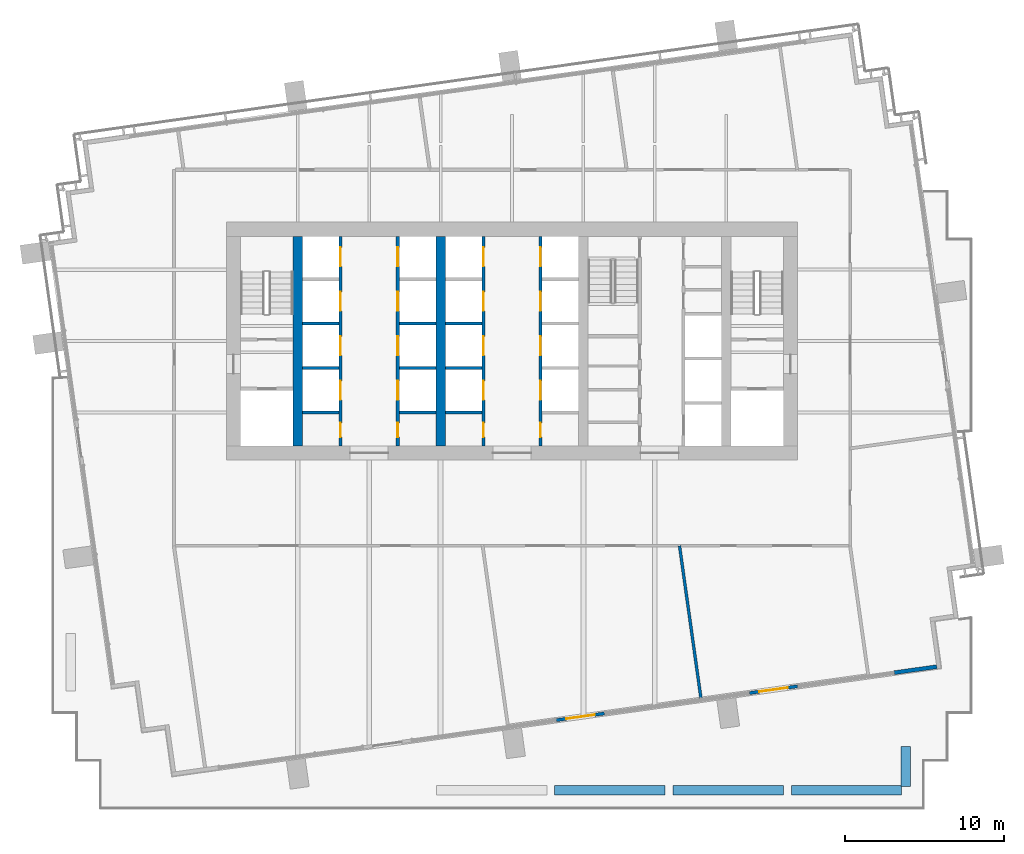
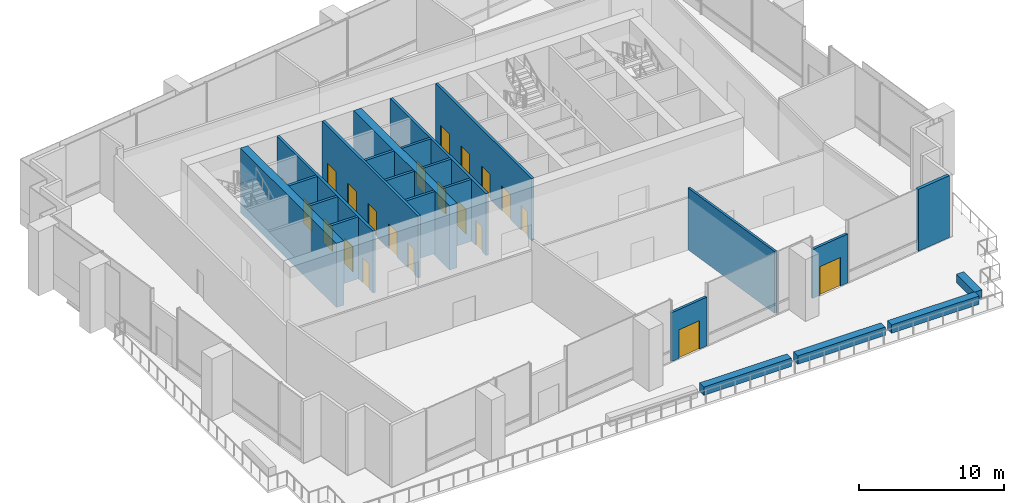
# One storey, part 8 of 17: 23 walls, 22 doors, 22 openings.
"""IFC4 building model written with IfcOpenShell, lengths in metres."""

from ifc_helpers import new_model, si_unit, direction, frame, frame_2d, origin, place, context, subcontext, project, spatial, rectangle, extrude, material, layer, layer_set, type_object, element, fill, save


model = new_model("IFC4")

# Units and contexts
model_context = context("Model", 3, precision=1e-05, world=origin(), true_north=direction((0.0, 1.0)))
body_context = subcontext(model_context, "Body", "Model", "MODEL_VIEW")
ifc_project = project(units=[si_unit("LENGTHUNIT", "METRE"), si_unit("AREAUNIT", "SQUARE_METRE"), si_unit("VOLUMEUNIT", "CUBIC_METRE"), si_unit("PLANEANGLEUNIT", "RADIAN"), si_unit("MASSUNIT", "GRAM", prefix="KILO")], contexts=[model_context])

# Site, building, storey
site_placement = place(None, origin())
site = spatial("IfcSite", under=ifc_project, at=site_placement, CompositionType="ELEMENT")
building_placement = place(site_placement, origin())
building = spatial("IfcBuilding", under=site, at=building_placement, Name="Rattan Terrace Tower", CompositionType="ELEMENT")
storey_placement = place(building_placement, frame((0.0, 0.0, 163.10009765625)))
storey = spatial("IfcBuildingStorey", under=building, at=storey_placement, Name="L37", CompositionType="ELEMENT", Elevation=163.10009765625)

# Walls
ifc_material_1 = material(Name="Concrete C60/75", Category="concrete")
ifc_layer_1 = layer(ifc_material_1, 0.60009765625)
ifc_layer_set_1 = layer_set([ifc_layer_1], Name="Core spine wall 600 C60/75")
wall_type_1 = type_object("IfcWallType", Name="Core spine wall 600 C60/75", PredefinedType="SHEAR", material=ifc_layer_set_1)
for number, where, z_axis, x_axis, name in (
    (1, (-13.5, -6.60009765625, -0.2001953125), (0.0, 0.0, 1.0), (0.0, 1.0, 0.0), "Core spine wall 1"),
    (2, (-4.5, -6.60009765625, -0.2001953125), (0.0, 0.0, 1.0), (0.0, 1.0, 0.0), "Core spine wall 2"),
):
    element("IfcWall", number, at=place(storey_placement, frame(where, z_axis=z_axis, x_axis=x_axis)), inside=storey, type_object=wall_type_1, Name=name, PredefinedType="SHEAR", context=body_context, shape_type="SweptSolid", body=[
        extrude(rectangle(XDim=13.2001953125, YDim=0.60009765625, at=frame_2d((6.60009765625, 0.0))), origin(), (0.0, 0.0, 1.0), 5.400146484375),
    ])

# Wall, opening, door
ifc_material_2 = material(Name="Insulated aluminium-clad stud wall", Category="aluminium")
ifc_layer_2 = layer(ifc_material_2, 0.199951171875)
ifc_layer_set_2 = layer_set([ifc_layer_2], Name="Facade Door Wall 200")
wall_type_2 = type_object("IfcWallType", Name="Facade Door Wall 200", PredefinedType="SOLIDWALL", material=ifc_layer_set_2)
wall_1_placement = place(storey_placement, frame((2.791259765625, -23.885009765625, 0.0), z_axis=(0.0, 0.0, 1.0), x_axis=(0.990274385837, 0.139128145088, 0.0)))
wall_1 = element("IfcWall", 3, at=wall_1_placement, inside=storey, type_object=wall_type_2, Name="Terrace door wall L37-24", PredefinedType="SOLIDWALL", context=body_context, shape_type="SweptSolid", body=[
    extrude(rectangle(XDim=3.07080078125, YDim=0.199951171875, at=frame_2d((1.535400390625, 0.0))), origin(), (0.0, 0.0, 1.0), 4.099853515625),
])
opening_1_placement = place(wall_1_placement, frame((0.635498046875, 0.0, 0.0)))
opening_1 = element("IfcOpeningElement", 4, at=opening_1_placement, cuts=wall_1, Name="Opening L37-D704", PredefinedType="OPENING", context=body_context, shape_type="SweptSolid", body=[
    extrude(rectangle(XDim=1.800048828125, YDim=2.39990234375, at=frame_2d((0.89990234375, 1.199951171875))), frame((0.0, 0.110595703125, 0.0), z_axis=(0.0, -1.0, 0.0), x_axis=(1.0, 0.0, 0.0)), (0.0, 0.0, 1.0), 0.220947265625),
])
ifc_material_3 = material(Name="Aluminium and clear glass", Category="aluminium")
door_type_1 = type_object("IfcDoorType", Name="Facade Terrace Door 1800", OperationType="DOUBLE_DOOR_SINGLE_SWING", PredefinedType="DOOR", material=ifc_material_3)
door_1_placement = place(opening_1_placement, origin())
door_1 = element("IfcDoor", 5, at=door_1_placement, inside=storey, type_object=door_type_1, Name="Terrace door L37-D704", OperationType="DOUBLE_DOOR_SINGLE_SWING", OverallHeight=2.39990234375, OverallWidth=1.800048828125, PredefinedType="DOOR", context=body_context, shape_type="SweptSolid", body=[
    extrude(rectangle(XDim=1.800048828125, YDim=2.39990234375, at=frame_2d((0.89990234375, 1.199951171875))), frame((0.0, 0.02490234375, 0.0), z_axis=(0.0, -1.0, 0.0), x_axis=(1.0, 0.0, 0.0)), (0.0, 0.0, 1.0), 0.050048828125),
])
fill(opening_1, door_1)

wall_2_placement = place(storey_placement, frame((14.95556640625, -22.175537109375, 0.0), z_axis=(0.0, 0.0, 1.0), x_axis=(0.990275924543, 0.139117192578, 0.0)))
wall_2 = element("IfcWall", 6, at=wall_2_placement, inside=storey, type_object=wall_type_2, Name="Terrace door wall L37-25", PredefinedType="SOLIDWALL", context=body_context, shape_type="SweptSolid", body=[
    extrude(rectangle(XDim=3.071044921875, YDim=0.199951171875, at=frame_2d((1.53564453125, 0.0))), origin(), (0.0, 0.0, 1.0), 4.099853515625),
])
opening_2_placement = place(wall_2_placement, frame((0.635498046875, 0.0, 0.0)))
opening_2 = element("IfcOpeningElement", 7, at=opening_2_placement, cuts=wall_2, Name="Opening L37-D705", PredefinedType="OPENING", context=body_context, shape_type="SweptSolid", body=[
    extrude(rectangle(XDim=1.800048828125, YDim=2.39990234375, at=frame_2d((0.89990234375, 1.199951171875))), frame((0.0, 0.110595703125, 0.0), z_axis=(0.0, -1.0, 0.0), x_axis=(1.0, 0.0, 0.0)), (0.0, 0.0, 1.0), 0.220947265625),
])
door_2_placement = place(opening_2_placement, origin())
door_2 = element("IfcDoor", 8, at=door_2_placement, inside=storey, type_object=door_type_1, Name="Terrace door L37-D705", OperationType="DOUBLE_DOOR_SINGLE_SWING", OverallHeight=2.39990234375, OverallWidth=1.800048828125, PredefinedType="DOOR", context=body_context, shape_type="SweptSolid", body=[
    extrude(rectangle(XDim=1.800048828125, YDim=2.39990234375, at=frame_2d((0.89990234375, 1.199951171875))), frame((0.0, 0.02490234375, 0.0), z_axis=(0.0, -1.0, 0.0), x_axis=(1.0, 0.0, 0.0)), (0.0, 0.0, 1.0), 0.050048828125),
])
fill(opening_2, door_2)

# Walls
ifc_material_4 = material(Name="Precast concrete C30/37", Category="concrete")
ifc_layer_3 = layer(ifc_material_4, 0.60009765625)
ifc_layer_set_3 = layer_set([ifc_layer_3], Name="Facade Planter Wall 600")
wall_type_3 = type_object("IfcWallType", Name="Facade Planter Wall 600", PredefinedType="SOLIDWALL", material=ifc_layer_set_3)
wall_3_placement = place(storey_placement, frame((24.800048828125, -25.550048828125, 0.0), z_axis=(0.0, 0.0, 1.0), x_axis=(0.0, -1.0, 0.0)))
element("IfcWall", 9, at=wall_3_placement, inside=storey, type_object=wall_type_3, Name="PLANTER bed L37-2", PredefinedType="SOLIDWALL", context=body_context, shape_type="SweptSolid", body=[
    extrude(rectangle(XDim=2.5, YDim=0.60009765625, at=frame_2d((1.25, 0.0))), origin(), (0.0, 0.0, 1.0), 0.699951171875),
])
wall_4_placement = place(storey_placement, frame((24.550048828125, -28.300048828125, 0.0), z_axis=(0.0, 0.0, 1.0), x_axis=(-1.0, 0.0, 0.0)))
element("IfcWall", 10, at=wall_4_placement, inside=storey, type_object=wall_type_3, Name="PLANTER bed L37-3", PredefinedType="SOLIDWALL", context=body_context, shape_type="SweptSolid", body=[
    extrude(rectangle(XDim=6.953125, YDim=0.60009765625, at=frame_2d((3.4765625, 0.0))), origin(), (0.0, 0.0, 1.0), 0.699951171875),
])
wall_5_placement = place(storey_placement, frame((17.096923828125, -28.300048828125, 0.0), z_axis=(0.0, 0.0, 1.0), x_axis=(-1.0, 0.0, 0.0)))
element("IfcWall", 11, at=wall_5_placement, inside=storey, type_object=wall_type_3, Name="PLANTER bed L37-4", PredefinedType="SOLIDWALL", context=body_context, shape_type="SweptSolid", body=[
    extrude(rectangle(XDim=6.951904296875, YDim=0.60009765625, at=frame_2d((3.47607421875, 0.0))), origin(), (0.0, 0.0, 1.0), 0.699951171875),
])
wall_6_placement = place(storey_placement, frame((9.64501953125, -28.300048828125, 0.0), z_axis=(0.0, 0.0, 1.0), x_axis=(-1.0, 0.0, 0.0)))
element("IfcWall", 12, at=wall_6_placement, inside=storey, type_object=wall_type_3, Name="PLANTER bed L37-5", PredefinedType="SOLIDWALL", context=body_context, shape_type="SweptSolid", body=[
    extrude(rectangle(XDim=6.953125, YDim=0.60009765625, at=frame_2d((3.4765625, 0.0))), origin(), (0.0, 0.0, 1.0), 0.699951171875),
])
ifc_material_5 = material(Name="Insulated aluminium-clad stud wall", Category="aluminium")
ifc_layer_4 = layer(ifc_material_5, 0.25)
ifc_layer_set_4 = layer_set([ifc_layer_4], Name="Facade Riser Wall 250")
wall_type_4 = type_object("IfcWallType", Name="Facade Riser Wall 250", PredefinedType="SOLIDWALL", material=ifc_layer_set_4)
wall_7_placement = place(storey_placement, frame((24.08544921875, -20.892578125, 0.0), z_axis=(0.0, 0.0, 1.0), x_axis=(0.990255800966, 0.139260362823, 0.0)))
element("IfcWall", 13, at=wall_7_placement, inside=storey, type_object=wall_type_4, Name="Riser wall L37-1", PredefinedType="SOLIDWALL", context=body_context, shape_type="SweptSolid", body=[
    extrude(rectangle(XDim=2.705078125, YDim=0.25, at=frame_2d((1.3525390625, 0.0))), origin(), (0.0, 0.0, 1.0), 5.199951171875),
])
ifc_material_6 = material(Name="Double steel stud acoustic partition, gypsum board, mineral wool, fire rated", Category="steel")
ifc_layer_5 = layer(ifc_material_6, 0.179931640625)
ifc_layer_set_5 = layer_set([ifc_layer_5], Name="Floors Acoustic Party Wall 180")
wall_type_5 = type_object("IfcWallType", Name="Floors Acoustic Party Wall 180", PredefinedType="PARTITIONING", material=ifc_layer_set_5)
wall_8_placement = place(storey_placement, frame((11.906005859375, -22.513916015625, 0.0), z_axis=(0.0, 0.0, 1.0), x_axis=(-0.139164284248, 0.99026930781, 0.0)))
element("IfcWall", 14, at=wall_8_placement, inside=storey, type_object=wall_type_5, Name="pt-L37-012", PredefinedType="PARTITIONING", context=body_context, shape_type="SweptSolid", body=[
    extrude(rectangle(XDim=9.70849609375, YDim=0.179931640625, at=frame_2d((4.854248046875, 0.0))), origin(), (0.0, 0.0, 1.0), 5.199951171875),
])

# Wall, openings, doors
ifc_material_7 = material(Name="Gypsum shaft wall system")
ifc_layer_6 = layer(ifc_material_7, 0.199951171875)
ifc_layer_set_6 = layer_set([ifc_layer_6], Name="Lift shaft wall 200")
wall_type_6 = type_object("IfcWallType", Name="Lift shaft wall 200", PredefinedType="PARTITIONING", material=ifc_layer_set_6)
wall_9_placement = place(storey_placement, frame((-10.800048828125, -6.60009765625, 0.0), z_axis=(0.0, 0.0, 1.0), x_axis=(0.0, 1.0, 0.0)))
wall_9 = element("IfcWall", 15, at=wall_9_placement, inside=storey, type_object=wall_type_6, Name="Lift shaft front wall", PredefinedType="PARTITIONING", context=body_context, shape_type="SweptSolid", body=[
    extrude(rectangle(XDim=13.2001953125, YDim=0.199951171875, at=frame_2d((6.60009765625, 0.0))), origin(), (0.0, 0.0, 1.0), 5.199951171875),
])
opening_3_placement = place(wall_9_placement, frame((0.550048828125, 0.0, 0.0)))
opening_3 = element("IfcOpeningElement", 16, at=opening_3_placement, cuts=wall_9, Name="Opening L37-D005", PredefinedType="OPENING", context=body_context, shape_type="SweptSolid", body=[
    extrude(rectangle(XDim=0.89990234375, YDim=2.10009765625, at=frame_2d((0.449951171875, 1.050048828125))), frame((0.0, 0.110595703125, 0.0), z_axis=(0.0, -1.0, 0.0), x_axis=(1.0, 0.0, 0.0)), (0.0, 0.0, 1.0), 0.220947265625),
])
opening_4_placement = place(wall_9_placement, frame((2.89990234375, 0.0, 0.0)))
opening_4 = element("IfcOpeningElement", 17, at=opening_4_placement, cuts=wall_9, Name="Opening L37-LD-LR1", PredefinedType="OPENING", context=body_context, shape_type="SweptSolid", body=[
    extrude(rectangle(XDim=1.199951171875, YDim=2.10009765625, at=frame_2d((0.60009765625, 1.050048828125))), frame((0.0, 0.110595703125, 0.0), z_axis=(0.0, -1.0, 0.0), x_axis=(1.0, 0.0, 0.0)), (0.0, 0.0, 1.0), 0.220947265625),
])
opening_5_placement = place(wall_9_placement, frame((5.699951171875, 0.0, 0.0)))
opening_5 = element("IfcOpeningElement", 18, at=opening_5_placement, cuts=wall_9, Name="Opening L37-LD-LR2", PredefinedType="OPENING", context=body_context, shape_type="SweptSolid", body=[
    extrude(rectangle(XDim=1.199951171875, YDim=2.10009765625, at=frame_2d((0.60009765625, 1.050048828125))), frame((0.0, 0.110595703125, 0.0), z_axis=(0.0, -1.0, 0.0), x_axis=(1.0, 0.0, 0.0)), (0.0, 0.0, 1.0), 0.220947265625),
])
opening_6_placement = place(wall_9_placement, frame((8.5, 0.0, 0.0)))
opening_6 = element("IfcOpeningElement", 19, at=opening_6_placement, cuts=wall_9, Name="Opening L37-LD-LR3", PredefinedType="OPENING", context=body_context, shape_type="SweptSolid", body=[
    extrude(rectangle(XDim=1.199951171875, YDim=2.10009765625, at=frame_2d((0.60009765625, 1.050048828125))), frame((0.0, 0.110595703125, 0.0), z_axis=(0.0, -1.0, 0.0), x_axis=(1.0, 0.0, 0.0)), (0.0, 0.0, 1.0), 0.220947265625),
])
opening_7_placement = place(wall_9_placement, frame((11.300048828125, 0.0, 0.0)))
opening_7 = element("IfcOpeningElement", 20, at=opening_7_placement, cuts=wall_9, Name="Opening L37-LD-LR4", PredefinedType="OPENING", context=body_context, shape_type="SweptSolid", body=[
    extrude(rectangle(XDim=1.199951171875, YDim=2.10009765625, at=frame_2d((0.60009765625, 1.050048828125))), frame((0.0, 0.110595703125, 0.0), z_axis=(0.0, -1.0, 0.0), x_axis=(1.0, 0.0, 0.0)), (0.0, 0.0, 1.0), 0.220947265625),
])
ifc_material_8 = material(Name="Brushed stainless landing door panel")
door_type_2 = type_object("IfcDoorType", Name="Core lift landing door 1200", OperationType="DOUBLE_DOOR_SLIDING", PredefinedType="DOOR", material=ifc_material_8)
door_3_placement = place(opening_4_placement, origin())
door_3 = element("IfcDoor", 21, at=door_3_placement, inside=storey, type_object=door_type_2, Name="Door L37-LD-LR1", OperationType="DOUBLE_DOOR_SLIDING", OverallHeight=2.10009765625, OverallWidth=1.199951171875, PredefinedType="DOOR", context=body_context, shape_type="SweptSolid", body=[
    extrude(rectangle(XDim=1.199951171875, YDim=2.10009765625, at=frame_2d((0.60009765625, 1.050048828125))), frame((0.0, 0.02490234375, 0.0), z_axis=(0.0, -1.0, 0.0), x_axis=(1.0, 0.0, 0.0)), (0.0, 0.0, 1.0), 0.050048828125),
])
fill(opening_4, door_3)
door_4_placement = place(opening_5_placement, origin())
door_4 = element("IfcDoor", 22, at=door_4_placement, inside=storey, type_object=door_type_2, Name="Door L37-LD-LR2", OperationType="DOUBLE_DOOR_SLIDING", OverallHeight=2.10009765625, OverallWidth=1.199951171875, PredefinedType="DOOR", context=body_context, shape_type="SweptSolid", body=[
    extrude(rectangle(XDim=1.199951171875, YDim=2.10009765625, at=frame_2d((0.60009765625, 1.050048828125))), frame((0.0, 0.02490234375, 0.0), z_axis=(0.0, -1.0, 0.0), x_axis=(1.0, 0.0, 0.0)), (0.0, 0.0, 1.0), 0.050048828125),
])
fill(opening_5, door_4)
door_5_placement = place(opening_6_placement, origin())
door_5 = element("IfcDoor", 23, at=door_5_placement, inside=storey, type_object=door_type_2, Name="Door L37-LD-LR3", OperationType="DOUBLE_DOOR_SLIDING", OverallHeight=2.10009765625, OverallWidth=1.199951171875, PredefinedType="DOOR", context=body_context, shape_type="SweptSolid", body=[
    extrude(rectangle(XDim=1.199951171875, YDim=2.10009765625, at=frame_2d((0.60009765625, 1.050048828125))), frame((0.0, 0.02490234375, 0.0), z_axis=(0.0, -1.0, 0.0), x_axis=(1.0, 0.0, 0.0)), (0.0, 0.0, 1.0), 0.050048828125),
])
fill(opening_6, door_5)
door_6_placement = place(opening_7_placement, origin())
door_6 = element("IfcDoor", 24, at=door_6_placement, inside=storey, type_object=door_type_2, Name="Door L37-LD-LR4", OperationType="DOUBLE_DOOR_SLIDING", OverallHeight=2.10009765625, OverallWidth=1.199951171875, PredefinedType="DOOR", context=body_context, shape_type="SweptSolid", body=[
    extrude(rectangle(XDim=1.199951171875, YDim=2.10009765625, at=frame_2d((0.60009765625, 1.050048828125))), frame((0.0, 0.02490234375, 0.0), z_axis=(0.0, -1.0, 0.0), x_axis=(1.0, 0.0, 0.0)), (0.0, 0.0, 1.0), 0.050048828125),
])
fill(opening_7, door_6)
ifc_material_9 = material(Name="Hollow-metal fire door leaf")
door_type_3 = type_object("IfcDoorType", Name="Core riser door 900", OperationType="NOTDEFINED", PredefinedType="DOOR", material=ifc_material_9)
door_7_placement = place(opening_3_placement, origin())
door_7 = element("IfcDoor", 25, at=door_7_placement, inside=storey, type_object=door_type_3, Name="Door L37-D005", OperationType="SINGLE_SWING_LEFT", OverallHeight=2.10009765625, OverallWidth=0.89990234375, PredefinedType="DOOR", context=body_context, shape_type="SweptSolid", body=[
    extrude(rectangle(XDim=0.89990234375, YDim=2.10009765625, at=frame_2d((0.449951171875, 1.050048828125))), frame((0.0, 0.02490234375, 0.0), z_axis=(0.0, -1.0, 0.0), x_axis=(1.0, 0.0, 0.0)), (0.0, 0.0, 1.0), 0.050048828125),
])
fill(opening_3, door_7)

wall_10_placement = place(storey_placement, frame((-7.199951171875, -6.60009765625, 0.0), z_axis=(0.0, 0.0, 1.0), x_axis=(0.0, 1.0, 0.0)))
wall_10 = element("IfcWall", 26, at=wall_10_placement, inside=storey, type_object=wall_type_6, Name="Lift shaft front wall", PredefinedType="PARTITIONING", context=body_context, shape_type="SweptSolid", body=[
    extrude(rectangle(XDim=13.2001953125, YDim=0.199951171875, at=frame_2d((6.60009765625, 0.0))), origin(), (0.0, 0.0, 1.0), 5.199951171875),
])
opening_8_placement = place(wall_10_placement, frame((0.550048828125, 0.0, 0.0)))
opening_8 = element("IfcOpeningElement", 27, at=opening_8_placement, cuts=wall_10, Name="Opening L37-D006", PredefinedType="OPENING", context=body_context, shape_type="SweptSolid", body=[
    extrude(rectangle(XDim=0.89990234375, YDim=2.10009765625, at=frame_2d((0.449951171875, 1.050048828125))), frame((0.0, 0.110595703125, 0.0), z_axis=(0.0, -1.0, 0.0), x_axis=(1.0, 0.0, 0.0)), (0.0, 0.0, 1.0), 0.220947265625),
])
opening_9_placement = place(wall_10_placement, frame((2.89990234375, 0.0, 0.0)))
opening_9 = element("IfcOpeningElement", 28, at=opening_9_placement, cuts=wall_10, Name="Opening L37-LD-LR5", PredefinedType="OPENING", context=body_context, shape_type="SweptSolid", body=[
    extrude(rectangle(XDim=1.199951171875, YDim=2.10009765625, at=frame_2d((0.60009765625, 1.050048828125))), frame((0.0, 0.110595703125, 0.0), z_axis=(0.0, -1.0, 0.0), x_axis=(1.0, 0.0, 0.0)), (0.0, 0.0, 1.0), 0.220947265625),
])
opening_10_placement = place(wall_10_placement, frame((5.699951171875, 0.0, 0.0)))
opening_10 = element("IfcOpeningElement", 29, at=opening_10_placement, cuts=wall_10, Name="Opening L37-LD-LR6", PredefinedType="OPENING", context=body_context, shape_type="SweptSolid", body=[
    extrude(rectangle(XDim=1.199951171875, YDim=2.10009765625, at=frame_2d((0.60009765625, 1.050048828125))), frame((0.0, 0.110595703125, 0.0), z_axis=(0.0, -1.0, 0.0), x_axis=(1.0, 0.0, 0.0)), (0.0, 0.0, 1.0), 0.220947265625),
])
opening_11_placement = place(wall_10_placement, frame((8.5, 0.0, 0.0)))
opening_11 = element("IfcOpeningElement", 30, at=opening_11_placement, cuts=wall_10, Name="Opening L37-LD-LR7", PredefinedType="OPENING", context=body_context, shape_type="SweptSolid", body=[
    extrude(rectangle(XDim=1.199951171875, YDim=2.10009765625, at=frame_2d((0.60009765625, 1.050048828125))), frame((0.0, 0.110595703125, 0.0), z_axis=(0.0, -1.0, 0.0), x_axis=(1.0, 0.0, 0.0)), (0.0, 0.0, 1.0), 0.220947265625),
])
opening_12_placement = place(wall_10_placement, frame((11.300048828125, 0.0, 0.0)))
opening_12 = element("IfcOpeningElement", 31, at=opening_12_placement, cuts=wall_10, Name="Opening L37-LD-LR8", PredefinedType="OPENING", context=body_context, shape_type="SweptSolid", body=[
    extrude(rectangle(XDim=1.199951171875, YDim=2.10009765625, at=frame_2d((0.60009765625, 1.050048828125))), frame((0.0, 0.110595703125, 0.0), z_axis=(0.0, -1.0, 0.0), x_axis=(1.0, 0.0, 0.0)), (0.0, 0.0, 1.0), 0.220947265625),
])
door_8_placement = place(opening_9_placement, origin())
door_8 = element("IfcDoor", 32, at=door_8_placement, inside=storey, type_object=door_type_2, Name="Door L37-LD-LR5", OperationType="DOUBLE_DOOR_SLIDING", OverallHeight=2.10009765625, OverallWidth=1.199951171875, PredefinedType="DOOR", context=body_context, shape_type="SweptSolid", body=[
    extrude(rectangle(XDim=1.199951171875, YDim=2.10009765625, at=frame_2d((0.60009765625, 1.050048828125))), frame((0.0, 0.02490234375, 0.0), z_axis=(0.0, -1.0, 0.0), x_axis=(1.0, 0.0, 0.0)), (0.0, 0.0, 1.0), 0.050048828125),
])
fill(opening_9, door_8)
door_9_placement = place(opening_10_placement, origin())
door_9 = element("IfcDoor", 33, at=door_9_placement, inside=storey, type_object=door_type_2, Name="Door L37-LD-LR6", OperationType="DOUBLE_DOOR_SLIDING", OverallHeight=2.10009765625, OverallWidth=1.199951171875, PredefinedType="DOOR", context=body_context, shape_type="SweptSolid", body=[
    extrude(rectangle(XDim=1.199951171875, YDim=2.10009765625, at=frame_2d((0.60009765625, 1.050048828125))), frame((0.0, 0.02490234375, 0.0), z_axis=(0.0, -1.0, 0.0), x_axis=(1.0, 0.0, 0.0)), (0.0, 0.0, 1.0), 0.050048828125),
])
fill(opening_10, door_9)
door_10_placement = place(opening_11_placement, origin())
door_10 = element("IfcDoor", 34, at=door_10_placement, inside=storey, type_object=door_type_2, Name="Door L37-LD-LR7", OperationType="DOUBLE_DOOR_SLIDING", OverallHeight=2.10009765625, OverallWidth=1.199951171875, PredefinedType="DOOR", context=body_context, shape_type="SweptSolid", body=[
    extrude(rectangle(XDim=1.199951171875, YDim=2.10009765625, at=frame_2d((0.60009765625, 1.050048828125))), frame((0.0, 0.02490234375, 0.0), z_axis=(0.0, -1.0, 0.0), x_axis=(1.0, 0.0, 0.0)), (0.0, 0.0, 1.0), 0.050048828125),
])
fill(opening_11, door_10)
door_11_placement = place(opening_12_placement, origin())
door_11 = element("IfcDoor", 35, at=door_11_placement, inside=storey, type_object=door_type_2, Name="Door L37-LD-LR8", OperationType="DOUBLE_DOOR_SLIDING", OverallHeight=2.10009765625, OverallWidth=1.199951171875, PredefinedType="DOOR", context=body_context, shape_type="SweptSolid", body=[
    extrude(rectangle(XDim=1.199951171875, YDim=2.10009765625, at=frame_2d((0.60009765625, 1.050048828125))), frame((0.0, 0.02490234375, 0.0), z_axis=(0.0, -1.0, 0.0), x_axis=(1.0, 0.0, 0.0)), (0.0, 0.0, 1.0), 0.050048828125),
])
fill(opening_12, door_11)
door_12_placement = place(opening_8_placement, origin())
door_12 = element("IfcDoor", 36, at=door_12_placement, inside=storey, type_object=door_type_3, Name="Door L37-D006", OperationType="SINGLE_SWING_RIGHT", OverallHeight=2.10009765625, OverallWidth=0.89990234375, PredefinedType="DOOR", context=body_context, shape_type="SweptSolid", body=[
    extrude(rectangle(XDim=0.89990234375, YDim=2.10009765625, at=frame_2d((0.449951171875, 1.050048828125))), frame((0.0, 0.02490234375, 0.0), z_axis=(0.0, -1.0, 0.0), x_axis=(1.0, 0.0, 0.0)), (0.0, 0.0, 1.0), 0.050048828125),
])
fill(opening_8, door_12)

# Walls
for number, where, z_axis, x_axis, name in (
    (37, (-13.199951171875, -1.699951171875, 0.0), (0.0, 0.0, 1.0), (1.0, 0.0, 0.0), "Lift shaft wall"),
    (38, (-13.199951171875, 1.10009765625, 0.0), (0.0, 0.0, 1.0), (1.0, 0.0, 0.0), "Lift shaft wall"),
    (39, (-13.199951171875, -4.5, 0.0), (0.0, 0.0, 1.0), (1.0, 0.0, 0.0), "Lift shaft wall"),
    (40, (-7.10009765625, -1.699951171875, 0.0), (0.0, 0.0, 1.0), (1.0, 0.0, 0.0), "Lift shaft wall"),
    (41, (-7.10009765625, 1.10009765625, 0.0), (0.0, 0.0, 1.0), (1.0, 0.0, 0.0), "Lift shaft wall"),
    (42, (-7.10009765625, -4.5, 0.0), (0.0, 0.0, 1.0), (1.0, 0.0, 0.0), "Lift shaft wall"),
):
    element("IfcWall", number, at=place(storey_placement, frame(where, z_axis=z_axis, x_axis=x_axis)), inside=storey, type_object=wall_type_6, Name=name, PredefinedType="PARTITIONING", context=body_context, shape_type="SweptSolid", body=[
        extrude(rectangle(XDim=2.300048828125, YDim=0.199951171875, at=frame_2d((1.14990234375, 0.0))), origin(), (0.0, 0.0, 1.0), 5.199951171875),
    ])

# Wall, openings, doors
wall_11_placement = place(storey_placement, frame((-1.800048828125, -6.60009765625, 0.0), z_axis=(0.0, 0.0, 1.0), x_axis=(0.0, 1.0, 0.0)))
wall_11 = element("IfcWall", 43, at=wall_11_placement, inside=storey, type_object=wall_type_6, Name="Lift shaft front wall", PredefinedType="PARTITIONING", context=body_context, shape_type="SweptSolid", body=[
    extrude(rectangle(XDim=13.2001953125, YDim=0.199951171875, at=frame_2d((6.60009765625, 0.0))), origin(), (0.0, 0.0, 1.0), 5.199951171875),
])
opening_13_placement = place(wall_11_placement, frame((0.550048828125, 0.0, 0.0)))
opening_13 = element("IfcOpeningElement", 44, at=opening_13_placement, cuts=wall_11, Name="Opening L37-D008", PredefinedType="OPENING", context=body_context, shape_type="SweptSolid", body=[
    extrude(rectangle(XDim=0.89990234375, YDim=2.10009765625, at=frame_2d((0.449951171875, 1.050048828125))), frame((0.0, 0.110595703125, 0.0), z_axis=(0.0, -1.0, 0.0), x_axis=(1.0, 0.0, 0.0)), (0.0, 0.0, 1.0), 0.220947265625),
])
opening_14_placement = place(wall_11_placement, frame((2.89990234375, 0.0, 0.0)))
opening_14 = element("IfcOpeningElement", 45, at=opening_14_placement, cuts=wall_11, Name="Opening L37-LD-HR1", PredefinedType="OPENING", context=body_context, shape_type="SweptSolid", body=[
    extrude(rectangle(XDim=1.199951171875, YDim=2.10009765625, at=frame_2d((0.60009765625, 1.050048828125))), frame((0.0, 0.110595703125, 0.0), z_axis=(0.0, -1.0, 0.0), x_axis=(1.0, 0.0, 0.0)), (0.0, 0.0, 1.0), 0.220947265625),
])
opening_15_placement = place(wall_11_placement, frame((5.699951171875, 0.0, 0.0)))
opening_15 = element("IfcOpeningElement", 46, at=opening_15_placement, cuts=wall_11, Name="Opening L37-LD-HR2", PredefinedType="OPENING", context=body_context, shape_type="SweptSolid", body=[
    extrude(rectangle(XDim=1.199951171875, YDim=2.10009765625, at=frame_2d((0.60009765625, 1.050048828125))), frame((0.0, 0.110595703125, 0.0), z_axis=(0.0, -1.0, 0.0), x_axis=(1.0, 0.0, 0.0)), (0.0, 0.0, 1.0), 0.220947265625),
])
opening_16_placement = place(wall_11_placement, frame((8.5, 0.0, 0.0)))
opening_16 = element("IfcOpeningElement", 47, at=opening_16_placement, cuts=wall_11, Name="Opening L37-LD-HR3", PredefinedType="OPENING", context=body_context, shape_type="SweptSolid", body=[
    extrude(rectangle(XDim=1.199951171875, YDim=2.10009765625, at=frame_2d((0.60009765625, 1.050048828125))), frame((0.0, 0.110595703125, 0.0), z_axis=(0.0, -1.0, 0.0), x_axis=(1.0, 0.0, 0.0)), (0.0, 0.0, 1.0), 0.220947265625),
])
opening_17_placement = place(wall_11_placement, frame((11.300048828125, 0.0, 0.0)))
opening_17 = element("IfcOpeningElement", 48, at=opening_17_placement, cuts=wall_11, Name="Opening L37-LD-HR4", PredefinedType="OPENING", context=body_context, shape_type="SweptSolid", body=[
    extrude(rectangle(XDim=1.199951171875, YDim=2.10009765625, at=frame_2d((0.60009765625, 1.050048828125))), frame((0.0, 0.110595703125, 0.0), z_axis=(0.0, -1.0, 0.0), x_axis=(1.0, 0.0, 0.0)), (0.0, 0.0, 1.0), 0.220947265625),
])
door_13_placement = place(opening_14_placement, origin())
door_13 = element("IfcDoor", 49, at=door_13_placement, inside=storey, type_object=door_type_2, Name="Door L37-LD-HR1", OperationType="DOUBLE_DOOR_SLIDING", OverallHeight=2.10009765625, OverallWidth=1.199951171875, PredefinedType="DOOR", context=body_context, shape_type="SweptSolid", body=[
    extrude(rectangle(XDim=1.199951171875, YDim=2.10009765625, at=frame_2d((0.60009765625, 1.050048828125))), frame((0.0, 0.02490234375, 0.0), z_axis=(0.0, -1.0, 0.0), x_axis=(1.0, 0.0, 0.0)), (0.0, 0.0, 1.0), 0.050048828125),
])
fill(opening_14, door_13)
door_14_placement = place(opening_15_placement, origin())
door_14 = element("IfcDoor", 50, at=door_14_placement, inside=storey, type_object=door_type_2, Name="Door L37-LD-HR2", OperationType="DOUBLE_DOOR_SLIDING", OverallHeight=2.10009765625, OverallWidth=1.199951171875, PredefinedType="DOOR", context=body_context, shape_type="SweptSolid", body=[
    extrude(rectangle(XDim=1.199951171875, YDim=2.10009765625, at=frame_2d((0.60009765625, 1.050048828125))), frame((0.0, 0.02490234375, 0.0), z_axis=(0.0, -1.0, 0.0), x_axis=(1.0, 0.0, 0.0)), (0.0, 0.0, 1.0), 0.050048828125),
])
fill(opening_15, door_14)
door_15_placement = place(opening_16_placement, origin())
door_15 = element("IfcDoor", 51, at=door_15_placement, inside=storey, type_object=door_type_2, Name="Door L37-LD-HR3", OperationType="DOUBLE_DOOR_SLIDING", OverallHeight=2.10009765625, OverallWidth=1.199951171875, PredefinedType="DOOR", context=body_context, shape_type="SweptSolid", body=[
    extrude(rectangle(XDim=1.199951171875, YDim=2.10009765625, at=frame_2d((0.60009765625, 1.050048828125))), frame((0.0, 0.02490234375, 0.0), z_axis=(0.0, -1.0, 0.0), x_axis=(1.0, 0.0, 0.0)), (0.0, 0.0, 1.0), 0.050048828125),
])
fill(opening_16, door_15)
door_16_placement = place(opening_17_placement, origin())
door_16 = element("IfcDoor", 52, at=door_16_placement, inside=storey, type_object=door_type_2, Name="Door L37-LD-HR4", OperationType="DOUBLE_DOOR_SLIDING", OverallHeight=2.10009765625, OverallWidth=1.199951171875, PredefinedType="DOOR", context=body_context, shape_type="SweptSolid", body=[
    extrude(rectangle(XDim=1.199951171875, YDim=2.10009765625, at=frame_2d((0.60009765625, 1.050048828125))), frame((0.0, 0.02490234375, 0.0), z_axis=(0.0, -1.0, 0.0), x_axis=(1.0, 0.0, 0.0)), (0.0, 0.0, 1.0), 0.050048828125),
])
fill(opening_17, door_16)
door_17_placement = place(opening_13_placement, origin())
door_17 = element("IfcDoor", 53, at=door_17_placement, inside=storey, type_object=door_type_3, Name="Door L37-D008", OperationType="SINGLE_SWING_LEFT", OverallHeight=2.10009765625, OverallWidth=0.89990234375, PredefinedType="DOOR", context=body_context, shape_type="SweptSolid", body=[
    extrude(rectangle(XDim=0.89990234375, YDim=2.10009765625, at=frame_2d((0.449951171875, 1.050048828125))), frame((0.0, 0.02490234375, 0.0), z_axis=(0.0, -1.0, 0.0), x_axis=(1.0, 0.0, 0.0)), (0.0, 0.0, 1.0), 0.050048828125),
])
fill(opening_13, door_17)

wall_12_placement = place(storey_placement, frame((1.800048828125, -6.60009765625, 0.0), z_axis=(0.0, 0.0, 1.0), x_axis=(0.0, 1.0, 0.0)))
wall_12 = element("IfcWall", 54, at=wall_12_placement, inside=storey, type_object=wall_type_6, Name="Lift shaft front wall", PredefinedType="PARTITIONING", context=body_context, shape_type="SweptSolid", body=[
    extrude(rectangle(XDim=13.2001953125, YDim=0.199951171875, at=frame_2d((6.60009765625, 0.0))), origin(), (0.0, 0.0, 1.0), 5.199951171875),
])
opening_18_placement = place(wall_12_placement, frame((0.550048828125, 0.0, 0.0)))
opening_18 = element("IfcOpeningElement", 55, at=opening_18_placement, cuts=wall_12, Name="Opening L37-D009", PredefinedType="OPENING", context=body_context, shape_type="SweptSolid", body=[
    extrude(rectangle(XDim=0.89990234375, YDim=2.10009765625, at=frame_2d((0.449951171875, 1.050048828125))), frame((0.0, 0.110595703125, 0.0), z_axis=(0.0, -1.0, 0.0), x_axis=(1.0, 0.0, 0.0)), (0.0, 0.0, 1.0), 0.220947265625),
])
opening_19_placement = place(wall_12_placement, frame((2.89990234375, 0.0, 0.0)))
opening_19 = element("IfcOpeningElement", 56, at=opening_19_placement, cuts=wall_12, Name="Opening L37-LD-HR5", PredefinedType="OPENING", context=body_context, shape_type="SweptSolid", body=[
    extrude(rectangle(XDim=1.199951171875, YDim=2.10009765625, at=frame_2d((0.60009765625, 1.050048828125))), frame((0.0, 0.110595703125, 0.0), z_axis=(0.0, -1.0, 0.0), x_axis=(1.0, 0.0, 0.0)), (0.0, 0.0, 1.0), 0.220947265625),
])
opening_20_placement = place(wall_12_placement, frame((5.699951171875, 0.0, 0.0)))
opening_20 = element("IfcOpeningElement", 57, at=opening_20_placement, cuts=wall_12, Name="Opening L37-LD-HR6", PredefinedType="OPENING", context=body_context, shape_type="SweptSolid", body=[
    extrude(rectangle(XDim=1.199951171875, YDim=2.10009765625, at=frame_2d((0.60009765625, 1.050048828125))), frame((0.0, 0.110595703125, 0.0), z_axis=(0.0, -1.0, 0.0), x_axis=(1.0, 0.0, 0.0)), (0.0, 0.0, 1.0), 0.220947265625),
])
opening_21_placement = place(wall_12_placement, frame((8.5, 0.0, 0.0)))
opening_21 = element("IfcOpeningElement", 58, at=opening_21_placement, cuts=wall_12, Name="Opening L37-LD-HR7", PredefinedType="OPENING", context=body_context, shape_type="SweptSolid", body=[
    extrude(rectangle(XDim=1.199951171875, YDim=2.10009765625, at=frame_2d((0.60009765625, 1.050048828125))), frame((0.0, 0.110595703125, 0.0), z_axis=(0.0, -1.0, 0.0), x_axis=(1.0, 0.0, 0.0)), (0.0, 0.0, 1.0), 0.220947265625),
])
opening_22_placement = place(wall_12_placement, frame((11.300048828125, 0.0, 0.0)))
opening_22 = element("IfcOpeningElement", 59, at=opening_22_placement, cuts=wall_12, Name="Opening L37-LD-HR8", PredefinedType="OPENING", context=body_context, shape_type="SweptSolid", body=[
    extrude(rectangle(XDim=1.199951171875, YDim=2.10009765625, at=frame_2d((0.60009765625, 1.050048828125))), frame((0.0, 0.110595703125, 0.0), z_axis=(0.0, -1.0, 0.0), x_axis=(1.0, 0.0, 0.0)), (0.0, 0.0, 1.0), 0.220947265625),
])
door_18_placement = place(opening_19_placement, origin())
door_18 = element("IfcDoor", 60, at=door_18_placement, inside=storey, type_object=door_type_2, Name="Door L37-LD-HR5", OperationType="DOUBLE_DOOR_SLIDING", OverallHeight=2.10009765625, OverallWidth=1.199951171875, PredefinedType="DOOR", context=body_context, shape_type="SweptSolid", body=[
    extrude(rectangle(XDim=1.199951171875, YDim=2.10009765625, at=frame_2d((0.60009765625, 1.050048828125))), frame((0.0, 0.02490234375, 0.0), z_axis=(0.0, -1.0, 0.0), x_axis=(1.0, 0.0, 0.0)), (0.0, 0.0, 1.0), 0.050048828125),
])
fill(opening_19, door_18)
door_19_placement = place(opening_20_placement, origin())
door_19 = element("IfcDoor", 61, at=door_19_placement, inside=storey, type_object=door_type_2, Name="Door L37-LD-HR6", OperationType="DOUBLE_DOOR_SLIDING", OverallHeight=2.10009765625, OverallWidth=1.199951171875, PredefinedType="DOOR", context=body_context, shape_type="SweptSolid", body=[
    extrude(rectangle(XDim=1.199951171875, YDim=2.10009765625, at=frame_2d((0.60009765625, 1.050048828125))), frame((0.0, 0.02490234375, 0.0), z_axis=(0.0, -1.0, 0.0), x_axis=(1.0, 0.0, 0.0)), (0.0, 0.0, 1.0), 0.050048828125),
])
fill(opening_20, door_19)
door_20_placement = place(opening_21_placement, origin())
door_20 = element("IfcDoor", 62, at=door_20_placement, inside=storey, type_object=door_type_2, Name="Door L37-LD-HR7", OperationType="DOUBLE_DOOR_SLIDING", OverallHeight=2.10009765625, OverallWidth=1.199951171875, PredefinedType="DOOR", context=body_context, shape_type="SweptSolid", body=[
    extrude(rectangle(XDim=1.199951171875, YDim=2.10009765625, at=frame_2d((0.60009765625, 1.050048828125))), frame((0.0, 0.02490234375, 0.0), z_axis=(0.0, -1.0, 0.0), x_axis=(1.0, 0.0, 0.0)), (0.0, 0.0, 1.0), 0.050048828125),
])
fill(opening_21, door_20)
door_21_placement = place(opening_22_placement, origin())
door_21 = element("IfcDoor", 63, at=door_21_placement, inside=storey, type_object=door_type_2, Name="Door L37-LD-HR8", OperationType="DOUBLE_DOOR_SLIDING", OverallHeight=2.10009765625, OverallWidth=1.199951171875, PredefinedType="DOOR", context=body_context, shape_type="SweptSolid", body=[
    extrude(rectangle(XDim=1.199951171875, YDim=2.10009765625, at=frame_2d((0.60009765625, 1.050048828125))), frame((0.0, 0.02490234375, 0.0), z_axis=(0.0, -1.0, 0.0), x_axis=(1.0, 0.0, 0.0)), (0.0, 0.0, 1.0), 0.050048828125),
])
fill(opening_22, door_21)
door_22_placement = place(opening_18_placement, origin())
door_22 = element("IfcDoor", 64, at=door_22_placement, inside=storey, type_object=door_type_3, Name="Door L37-D009", OperationType="SINGLE_SWING_RIGHT", OverallHeight=2.10009765625, OverallWidth=0.89990234375, PredefinedType="DOOR", context=body_context, shape_type="SweptSolid", body=[
    extrude(rectangle(XDim=0.89990234375, YDim=2.10009765625, at=frame_2d((0.449951171875, 1.050048828125))), frame((0.0, 0.02490234375, 0.0), z_axis=(0.0, -1.0, 0.0), x_axis=(1.0, 0.0, 0.0)), (0.0, 0.0, 1.0), 0.050048828125),
])
fill(opening_18, door_22)

# Walls
for number, where, z_axis, x_axis, name in (
    (65, (-4.199951171875, -1.699951171875, 0.0), (0.0, 0.0, 1.0), (1.0, 0.0, 0.0), "Lift shaft wall"),
    (66, (-4.199951171875, 1.10009765625, 0.0), (0.0, 0.0, 1.0), (1.0, 0.0, 0.0), "Lift shaft wall"),
    (67, (-4.199951171875, -4.5, 0.0), (0.0, 0.0, 1.0), (1.0, 0.0, 0.0), "Lift shaft wall"),
):
    element("IfcWall", number, at=place(storey_placement, frame(where, z_axis=z_axis, x_axis=x_axis)), inside=storey, type_object=wall_type_6, Name=name, PredefinedType="PARTITIONING", context=body_context, shape_type="SweptSolid", body=[
        extrude(rectangle(XDim=2.300048828125, YDim=0.199951171875, at=frame_2d((1.14990234375, 0.0))), origin(), (0.0, 0.0, 1.0), 5.199951171875),
    ])

save(model, "model.ifc")
